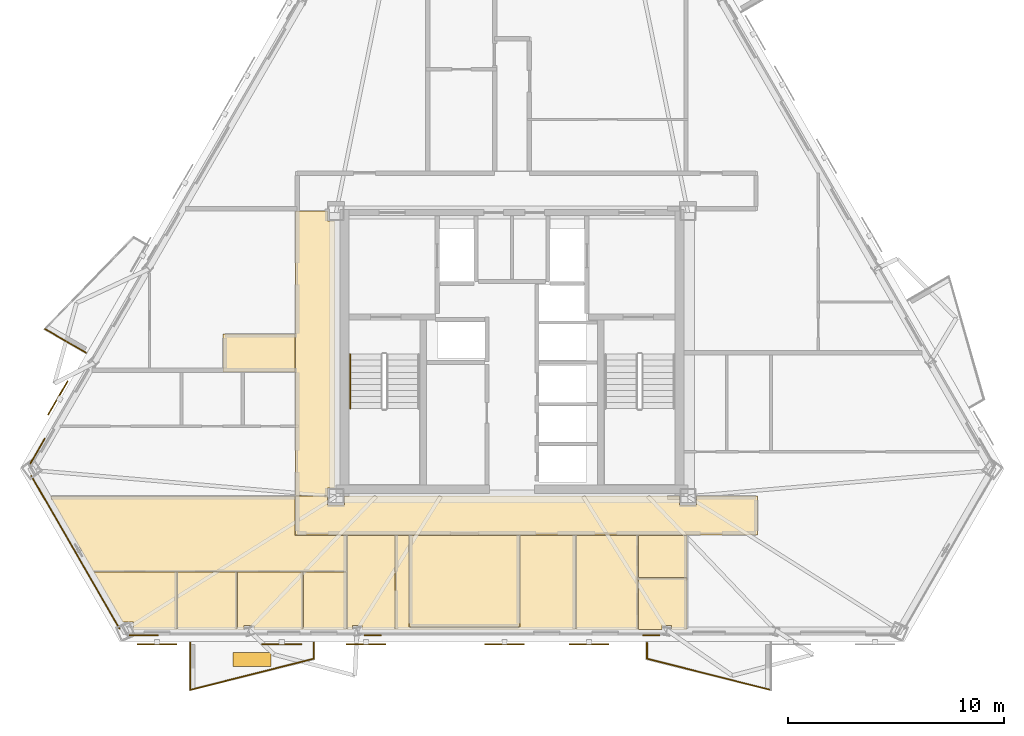
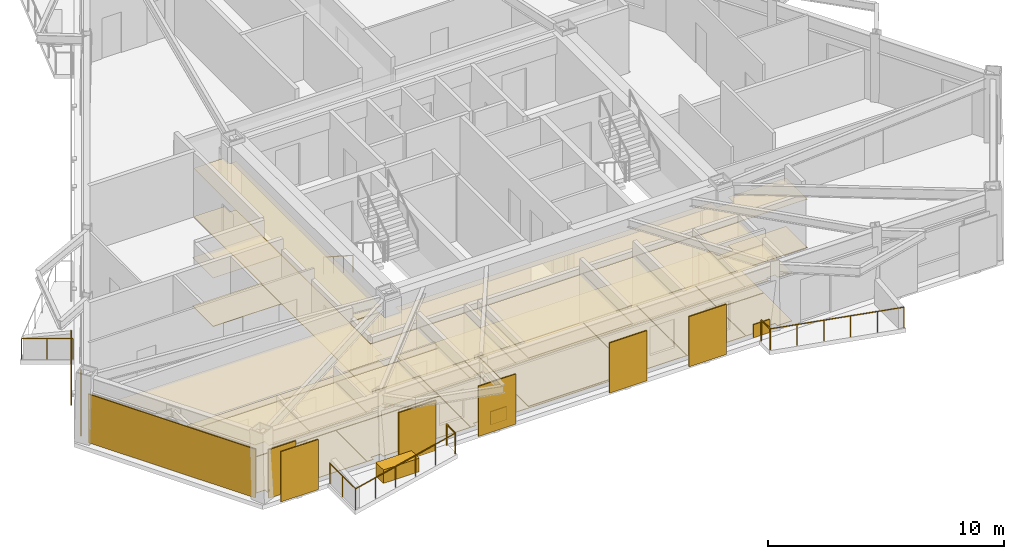
# One storey, part 7 of 9: 34 coverings, 7 railings, 6 shading devices.
"""IFC4 building model written with IfcOpenShell, lengths in metres."""

from ifc_helpers import new_model, si_unit, direction, frame, origin, origin_2d, place, context, subcontext, project, spatial, polyline, rectangle, circle, outline, extrude, material, layer, layer_set, type_object, element, save


model = new_model("IFC4")

# Units and contexts
model_context = context("Model", 3, precision=1e-05, world=origin(), true_north=direction((0.0, 1.0)))
body_context = subcontext(model_context, "Body", "Model", "MODEL_VIEW")
ifc_project = project(units=[si_unit("LENGTHUNIT", "METRE"), si_unit("AREAUNIT", "SQUARE_METRE"), si_unit("VOLUMEUNIT", "CUBIC_METRE"), si_unit("PLANEANGLEUNIT", "RADIAN"), si_unit("MASSUNIT", "GRAM", prefix="KILO")], contexts=[model_context])

# Site, building, storey
site_placement = place(None, origin())
site = spatial("IfcSite", under=ifc_project, at=site_placement, CompositionType="ELEMENT")
building_placement = place(site_placement, origin())
building = spatial("IfcBuilding", under=site, at=building_placement, Name="Oramaril Tower", CompositionType="ELEMENT")
storey_placement = place(building_placement, frame((0.0, 0.0, 167.39990234375)))
storey = spatial("IfcBuildingStorey", under=building, at=storey_placement, Name="L44", CompositionType="ELEMENT", Elevation=167.39990234375)

# Coverings
ifc_material_1 = material(Name="Mineral Fibre Acoustic Ceiling")
ifc_layer_1 = layer(ifc_material_1, 0.02001953125)
ifc_layer_set_1 = layer_set([ifc_layer_1], Name="CVT-CEIL")
covering_type_1 = type_object("IfcCoveringType", Name="CVT-CEIL", PredefinedType="CEILING", material=ifc_layer_set_1)
covering_1_placement = place(storey_placement, frame((0.0, 0.0, 2.51220703125)))
element("IfcCovering", 1, at=covering_1_placement, inside=storey, type_object=covering_type_1, Name="L44 Acoustic Suspended Ceiling 1", PredefinedType="CEILING", context=body_context, shape_type="SweptSolid", body=[
    extrude(outline(polyline([(28.955078125, 10.60498046875), (29.7451171875, 10.60498046875), (29.7451171875, 11.030029296875), (45.2548828125, 11.030029296875), (45.2548828125, 10.60498046875), (46.044921875, 10.60498046875), (46.044921875, 11.030029296875), (48.8798828125, 11.030029296875), (48.8798828125, 9.219970703125), (27.469970703125, 9.219970703125), (27.469970703125, 11.030029296875), (28.955078125, 11.030029296875), (28.955078125, 10.60498046875)])), origin(), (0.0, 0.0, 1.0), 0.019775390625),
])
covering_2_placement = place(storey_placement, frame((0.0, 0.0, 2.51220703125)))
element("IfcCovering", 2, at=covering_2_placement, inside=storey, type_object=covering_type_1, Name="L44 Acoustic Suspended Ceiling 3", PredefinedType="CEILING", context=body_context, shape_type="SweptSolid", body=[
    extrude(outline(polyline([(28.955078125, 23.7548828125), (29.280029296875, 23.7548828125), (29.280029296875, 11.39501953125), (28.955078125, 11.39501953125), (28.955078125, 11.050048828125), (27.469970703125, 11.050048828125), (27.469970703125, 24.219970703125), (28.955078125, 24.219970703125), (28.955078125, 23.7548828125)])), origin(), (0.0, 0.0, 1.0), 0.019775390625),
])
covering_3_placement = place(storey_placement, frame((0.0, 0.0, 2.51220703125)))
element("IfcCovering", 3, at=covering_3_placement, inside=storey, type_object=covering_type_1, Name="L44 Acoustic Suspended Ceiling 5", PredefinedType="CEILING", context=body_context, shape_type="SweptSolid", body=[
    extrude(outline(polyline([(24.1201171875, 16.77001953125), (24.1201171875, 18.530029296875), (27.449951171875, 18.530029296875), (27.449951171875, 16.77001953125), (24.1201171875, 16.77001953125)])), origin(), (0.0, 0.0, 1.0), 0.019775390625),
])
covering_4_placement = place(storey_placement, frame((0.0, 0.0, 2.51220703125)))
element("IfcCovering", 4, at=covering_4_placement, inside=storey, type_object=covering_type_1, Name="L44 Acoustic Suspended Ceiling 6", PredefinedType="CEILING", context=body_context, shape_type="SweptSolid", body=[
    extrude(outline(polyline([(32.758056640625, 4.9580078125), (32.758056640625, 9.199951171875), (37.842041015625, 9.199951171875), (37.842041015625, 4.9580078125), (32.758056640625, 4.9580078125)])), origin(), (0.0, 0.0, 1.0), 0.019775390625),
])
covering_5_placement = place(storey_placement, frame((0.0, 0.0, 2.51220703125)))
element("IfcCovering", 5, at=covering_5_placement, inside=storey, type_object=covering_type_1, Name="L44 Acoustic Suspended Ceiling 7", PredefinedType="CEILING", context=body_context, shape_type="SweptSolid", body=[
    extrude(outline(polyline([(29.842041015625, 7.512451171875), (18.12060546875, 7.512451171875), (16.11181640625, 10.991943359375), (27.449951171875, 10.991943359375), (27.449951171875, 9.219970703125), (27.4501953125, 9.218017578125), (27.450439453125, 9.216064453125), (27.450927734375, 9.214111328125), (27.451416015625, 9.21240234375), (27.452392578125, 9.210693359375), (27.453369140625, 9.208984375), (27.45458984375, 9.207275390625), (27.455810546875, 9.205810546875), (27.457275390625, 9.20458984375), (27.458984375, 9.203369140625), (27.460693359375, 9.202392578125), (27.46240234375, 9.201416015625), (27.464111328125, 9.200927734375), (27.466064453125, 9.200439453125), (27.468017578125, 9.2001953125), (27.469970703125, 9.199951171875), (29.842041015625, 9.199951171875), (29.842041015625, 7.512451171875)])), origin(), (0.0, 0.0, 1.0), 0.019775390625),
])
covering_6_placement = place(storey_placement, frame((0.0, 0.0, 2.51220703125)))
element("IfcCovering", 6, at=covering_6_placement, inside=storey, type_object=covering_type_1, Name="L44 Acoustic Suspended Ceiling 8", PredefinedType="CEILING", context=body_context, shape_type="SweptSolid", body=[
    extrude(outline(polyline([(19.96875, 4.844482421875), (19.96875, 5.1806640625), (19.467041015625, 5.1806640625), (18.13232421875, 7.492431640625), (21.989501953125, 7.492431640625), (21.989501953125, 4.844482421875), (19.96875, 4.844482421875)])), origin(), (0.0, 0.0, 1.0), 0.019775390625),
])
covering_7_placement = place(storey_placement, frame((0.0, 0.0, 2.51220703125)))
element("IfcCovering", 7, at=covering_7_placement, inside=storey, type_object=covering_type_1, Name="L44 Acoustic Suspended Ceiling 9", PredefinedType="CEILING", context=body_context, shape_type="SweptSolid", body=[
    extrude(outline(polyline([(22.009521484375, 4.844482421875), (22.009521484375, 7.492431640625), (24.7646484375, 7.492431640625), (24.7646484375, 4.844482421875), (22.009521484375, 4.844482421875)])), origin(), (0.0, 0.0, 1.0), 0.019775390625),
])
covering_8_placement = place(storey_placement, frame((0.0, 0.0, 2.51220703125)))
element("IfcCovering", 8, at=covering_8_placement, inside=storey, type_object=covering_type_1, Name="L44 Acoustic Suspended Ceiling 10", PredefinedType="CEILING", context=body_context, shape_type="SweptSolid", body=[
    extrude(outline(polyline([(25.546630859375, 4.844482421875), (25.546630859375, 5.030029296875), (25.0859375, 5.030029296875), (25.0859375, 4.844482421875), (24.78466796875, 4.844482421875), (24.78466796875, 7.492431640625), (27.814697265625, 7.492431640625), (27.814697265625, 4.844482421875), (25.546630859375, 4.844482421875)])), origin(), (0.0, 0.0, 1.0), 0.019775390625),
])
covering_9_placement = place(storey_placement, frame((0.0, 0.0, 2.51220703125)))
element("IfcCovering", 9, at=covering_9_placement, inside=storey, type_object=covering_type_1, Name="L44 Acoustic Suspended Ceiling 11", PredefinedType="CEILING", context=body_context, shape_type="SweptSolid", body=[
    extrude(outline(polyline([(27.834716796875, 4.844482421875), (27.834716796875, 7.492431640625), (29.842041015625, 7.492431640625), (29.842041015625, 4.844482421875), (27.834716796875, 4.844482421875)])), origin(), (0.0, 0.0, 1.0), 0.019775390625),
])
covering_10_placement = place(storey_placement, frame((0.0, 0.0, 2.51220703125)))
element("IfcCovering", 10, at=covering_10_placement, inside=storey, type_object=covering_type_1, Name="L44 Acoustic Suspended Ceiling 12", PredefinedType="CEILING", context=body_context, shape_type="SweptSolid", body=[
    extrude(outline(polyline([(40.44189453125, 4.844482421875), (32.090087890625, 4.844482421875), (32.090087890625, 9.199951171875), (32.738037109375, 9.199951171875), (32.738037109375, 4.9580078125), (32.738037109375, 4.9560546875), (32.73828125, 4.9541015625), (32.739013671875, 4.9521484375), (32.739501953125, 4.9501953125), (32.740478515625, 4.948486328125), (32.741455078125, 4.947021484375), (32.742431640625, 4.9453125), (32.743896484375, 4.94384765625), (32.745361328125, 4.9423828125), (32.746826171875, 4.94140625), (32.74853515625, 4.9404296875), (32.750244140625, 4.939453125), (32.752197265625, 4.93896484375), (32.754150390625, 4.9384765625), (32.756103515625, 4.93798828125), (32.758056640625, 4.93798828125), (37.842041015625, 4.93798828125), (37.843994140625, 4.93798828125), (37.845947265625, 4.9384765625), (37.847900390625, 4.93896484375), (37.849609375, 4.939453125), (37.851318359375, 4.9404296875), (37.85302734375, 4.94140625), (37.854736328125, 4.9423828125), (37.856201171875, 4.94384765625), (37.857421875, 4.9453125), (37.858642578125, 4.947021484375), (37.859619140625, 4.948486328125), (37.860595703125, 4.9501953125), (37.861083984375, 4.9521484375), (37.861572265625, 4.9541015625), (37.86181640625, 4.9560546875), (37.862060546875, 4.9580078125), (37.862060546875, 9.199951171875), (40.44189453125, 9.199951171875), (40.44189453125, 4.844482421875)])), origin(), (0.0, 0.0, 1.0), 0.019775390625),
])
covering_11_placement = place(storey_placement, frame((0.0, 0.0, 2.51220703125)))
element("IfcCovering", 11, at=covering_11_placement, inside=storey, type_object=covering_type_1, Name="L44 Acoustic Suspended Ceiling 13", PredefinedType="CEILING", context=body_context, shape_type="SweptSolid", body=[
    extrude(outline(polyline([(30.55908203125, 4.844482421875), (30.55908203125, 5.030029296875), (30.107177734375, 5.030029296875), (30.107177734375, 4.844482421875), (29.862060546875, 4.844482421875), (29.862060546875, 7.492431640625), (29.86181640625, 7.494384765625), (29.861572265625, 7.496337890625), (29.861083984375, 7.498291015625), (29.860595703125, 7.500244140625), (29.859619140625, 7.501953125), (29.859375, 7.50244140625), (29.859619140625, 7.503173828125), (29.860595703125, 7.5048828125), (29.861083984375, 7.506591796875), (29.861572265625, 7.508544921875), (29.86181640625, 7.510498046875), (29.862060546875, 7.512451171875), (29.862060546875, 9.199951171875), (32.070068359375, 9.199951171875), (32.070068359375, 4.844482421875), (30.55908203125, 4.844482421875)])), origin(), (0.0, 0.0, 1.0), 0.019775390625),
])
covering_12_placement = place(storey_placement, frame((0.0, 0.0, 2.51220703125)))
element("IfcCovering", 12, at=covering_12_placement, inside=storey, type_object=covering_type_1, Name="L44 Acoustic Suspended Ceiling 14", PredefinedType="CEILING", context=body_context, shape_type="SweptSolid", body=[
    extrude(outline(polyline([(43.33154296875, 4.844482421875), (40.4619140625, 4.844482421875), (40.4619140625, 9.199951171875), (43.33154296875, 9.199951171875), (43.33154296875, 4.844482421875)])), origin(), (0.0, 0.0, 1.0), 0.019775390625),
])
covering_13_placement = place(storey_placement, frame((0.0, 0.0, 2.51220703125)))
element("IfcCovering", 13, at=covering_13_placement, inside=storey, type_object=covering_type_1, Name="L44 Acoustic Suspended Ceiling 15", PredefinedType="CEILING", context=body_context, shape_type="SweptSolid", body=[
    extrude(outline(polyline([(44.892822265625, 5.030029296875), (44.44091796875, 5.030029296875), (44.44091796875, 4.844482421875), (43.3515625, 4.844482421875), (43.3515625, 7.224853515625), (45.60205078125, 7.224853515625), (45.60205078125, 4.844482421875), (44.892822265625, 4.844482421875), (44.892822265625, 5.030029296875)])), origin(), (0.0, 0.0, 1.0), 0.019775390625),
])
covering_14_placement = place(storey_placement, frame((0.0, 0.0, 2.51220703125)))
element("IfcCovering", 14, at=covering_14_placement, inside=storey, type_object=covering_type_1, Name="L44 Acoustic Suspended Ceiling 16", PredefinedType="CEILING", context=body_context, shape_type="SweptSolid", body=[
    extrude(outline(polyline([(45.60205078125, 7.244873046875), (43.3515625, 7.244873046875), (43.3515625, 9.199951171875), (45.60205078125, 9.199951171875), (45.60205078125, 7.244873046875)])), origin(), (0.0, 0.0, 1.0), 0.019775390625),
])
ifc_material_2 = material(Name="Warm Cream Limestone", Category="masonry")
ifc_layer_2 = layer(ifc_material_2, 0.050048828125)
ifc_layer_set_2 = layer_set([ifc_layer_2], Name="CVT-CLD")
covering_type_2 = type_object("IfcCoveringType", Name="CVT-CLD", PredefinedType="CLADDING", material=ifc_layer_set_2)
covering_15_placement = place(storey_placement, frame((17.27587890625, 8.423583984375, 0.0400390625), z_axis=(0.0, 0.0, 1.0), x_axis=(0.499996976998, -0.866027149108, 0.0)))
element("IfcCovering", 15, at=covering_15_placement, inside=storey, type_object=covering_type_2, Name="L44 Warm Cream Limestone Cladding", PredefinedType="CLADDING", context=body_context, shape_type="SweptSolid", body=[
    extrude(rectangle(XDim=8.208984375, YDim=0.050048828125, at=origin_2d()), origin(), (0.0, 0.0, 1.0), 2.52001953125),
])
covering_16_placement = place(storey_placement, frame((20.44873046875, 4.568603515625, 0.0400390625), z_axis=(0.0, 0.0, 1.0), x_axis=(1.0, 0.0, 0.0)))
element("IfcCovering", 16, at=covering_16_placement, inside=storey, type_object=covering_type_2, Name="L44 Warm Cream Limestone Cladding", PredefinedType="CLADDING", context=body_context, shape_type="SweptSolid", body=[
    extrude(rectangle(XDim=1.35009765625, YDim=0.050048828125, at=origin_2d()), origin(), (0.0, 0.0, 1.0), 2.52001953125),
])
for number, where, z_axis, x_axis, name in (
    (17, (31.055419921875, 4.568603515625, 0.0400390625), (0.0, 0.0, 1.0), (1.0, 0.0, 0.0), "L44 Warm Cream Limestone Spandrel Cladding"),
    (18, (43.944580078125, 4.568603515625, 0.0400390625), (0.0, 0.0, 1.0), (1.0, 0.0, 0.0), "L44 Warm Cream Limestone Spandrel Cladding"),
):
    element("IfcCovering", number, at=place(storey_placement, frame(where, z_axis=z_axis, x_axis=x_axis)), inside=storey, type_object=covering_type_2, Name=name, PredefinedType="CLADDING", context=body_context, shape_type="SweptSolid", body=[
        extrude(rectangle(XDim=0.800048828125, YDim=0.050048828125, at=origin_2d()), origin(), (0.0, 0.0, 1.0), 0.679931640625),
    ])
covering_17_placement = place(storey_placement, frame((15.523681640625, 13.098876953125, 0.0400390625), z_axis=(0.0, 0.0, 1.0), x_axis=(-0.5, -0.866025403784, 0.0)))
element("IfcCovering", 19, at=covering_17_placement, inside=storey, type_object=covering_type_2, Name="L44 Warm Cream Limestone Cladding", PredefinedType="CLADDING", context=body_context, shape_type="SweptSolid", body=[
    extrude(rectangle(XDim=1.35009765625, YDim=0.050048828125, at=origin_2d()), origin(), (0.0, 0.0, 1.0), 2.52001953125),
])
covering_18_placement = place(storey_placement, frame((25.4580078125, 3.440185546875, 0.0), z_axis=(0.0, 0.0, 1.0), x_axis=(1.0, 0.0, 0.0)))
element("IfcCovering", 20, at=covering_18_placement, inside=storey, type_object=covering_type_2, Name="L44 Structural Tree Planter Box L44-BAL-S1", PredefinedType="CLADDING", context=body_context, shape_type="SweptSolid", body=[
    extrude(rectangle(XDim=1.75, YDim=0.64990234375, at=origin_2d()), origin(), (0.0, 0.0, 1.0), 0.699951171875),
])
ifc_material_3 = material(Name="Honed Quartzite Stone Flooring", Category="masonry")
ifc_layer_3 = layer(ifc_material_3, 0.02490234375)
ifc_layer_set_3 = layer_set([ifc_layer_3], Name="CVT-FLR")
covering_type_3 = type_object("IfcCoveringType", Name="CVT-FLR", PredefinedType="FLOORING", material=ifc_layer_set_3)
covering_19_placement = place(storey_placement, origin())
element("IfcCovering", 21, at=covering_19_placement, inside=storey, type_object=covering_type_3, Name="L44 Honed Stone Floor Finish 1", PredefinedType="FLOORING", context=body_context, shape_type="SweptSolid", body=[
    extrude(outline(polyline([(28.955078125, 10.60498046875), (29.7451171875, 10.60498046875), (29.7451171875, 11.030029296875), (45.2548828125, 11.030029296875), (45.2548828125, 10.60498046875), (46.044921875, 10.60498046875), (46.044921875, 11.030029296875), (48.8798828125, 11.030029296875), (48.8798828125, 9.219970703125), (27.469970703125, 9.219970703125), (27.469970703125, 11.030029296875), (28.955078125, 11.030029296875), (28.955078125, 10.60498046875)])), origin(), (0.0, 0.0, 1.0), 0.025146484375),
])
covering_20_placement = place(storey_placement, origin())
element("IfcCovering", 22, at=covering_20_placement, inside=storey, type_object=covering_type_3, Name="L44 Honed Stone Floor Finish 3", PredefinedType="FLOORING", context=body_context, shape_type="SweptSolid", body=[
    extrude(outline(polyline([(28.955078125, 23.7548828125), (29.280029296875, 23.7548828125), (29.280029296875, 11.39501953125), (28.955078125, 11.39501953125), (28.955078125, 11.050048828125), (27.469970703125, 11.050048828125), (27.469970703125, 24.219970703125), (28.955078125, 24.219970703125), (28.955078125, 23.7548828125)])), origin(), (0.0, 0.0, 1.0), 0.025146484375),
])
covering_21_placement = place(storey_placement, origin())
element("IfcCovering", 23, at=covering_21_placement, inside=storey, type_object=covering_type_3, Name="L44 Honed Stone Floor Finish 5", PredefinedType="FLOORING", context=body_context, shape_type="SweptSolid", body=[
    extrude(outline(polyline([(24.1201171875, 16.77001953125), (24.1201171875, 18.530029296875), (27.449951171875, 18.530029296875), (27.449951171875, 16.77001953125), (24.1201171875, 16.77001953125)])), origin(), (0.0, 0.0, 1.0), 0.025146484375),
])
covering_22_placement = place(storey_placement, origin())
element("IfcCovering", 24, at=covering_22_placement, inside=storey, type_object=covering_type_3, Name="L44 Honed Stone Floor Finish 6", PredefinedType="FLOORING", context=body_context, shape_type="SweptSolid", body=[
    extrude(outline(polyline([(32.758056640625, 4.9580078125), (32.758056640625, 9.199951171875), (37.842041015625, 9.199951171875), (37.842041015625, 4.9580078125), (32.758056640625, 4.9580078125)])), origin(), (0.0, 0.0, 1.0), 0.025146484375),
])
covering_23_placement = place(storey_placement, origin())
element("IfcCovering", 25, at=covering_23_placement, inside=storey, type_object=covering_type_3, Name="L44 Honed Stone Floor Finish 7", PredefinedType="FLOORING", context=body_context, shape_type="SweptSolid", body=[
    extrude(outline(polyline([(29.842041015625, 7.512451171875), (18.12060546875, 7.512451171875), (16.11181640625, 10.991943359375), (27.449951171875, 10.991943359375), (27.449951171875, 9.219970703125), (27.4501953125, 9.218017578125), (27.450439453125, 9.216064453125), (27.450927734375, 9.214111328125), (27.451416015625, 9.21240234375), (27.452392578125, 9.210693359375), (27.453369140625, 9.208984375), (27.45458984375, 9.207275390625), (27.455810546875, 9.205810546875), (27.457275390625, 9.20458984375), (27.458984375, 9.203369140625), (27.460693359375, 9.202392578125), (27.46240234375, 9.201416015625), (27.464111328125, 9.200927734375), (27.466064453125, 9.200439453125), (27.468017578125, 9.2001953125), (27.469970703125, 9.199951171875), (29.842041015625, 9.199951171875), (29.842041015625, 7.512451171875)])), origin(), (0.0, 0.0, 1.0), 0.025146484375),
])
covering_24_placement = place(storey_placement, origin())
element("IfcCovering", 26, at=covering_24_placement, inside=storey, type_object=covering_type_3, Name="L44 Honed Stone Floor Finish 8", PredefinedType="FLOORING", context=body_context, shape_type="SweptSolid", body=[
    extrude(outline(polyline([(19.96875, 4.844482421875), (19.96875, 5.1806640625), (19.467041015625, 5.1806640625), (18.13232421875, 7.492431640625), (21.989501953125, 7.492431640625), (21.989501953125, 4.844482421875), (19.96875, 4.844482421875)])), origin(), (0.0, 0.0, 1.0), 0.025146484375),
])
covering_25_placement = place(storey_placement, origin())
element("IfcCovering", 27, at=covering_25_placement, inside=storey, type_object=covering_type_3, Name="L44 Honed Stone Floor Finish 9", PredefinedType="FLOORING", context=body_context, shape_type="SweptSolid", body=[
    extrude(outline(polyline([(22.009521484375, 4.844482421875), (22.009521484375, 7.492431640625), (24.7646484375, 7.492431640625), (24.7646484375, 4.844482421875), (22.009521484375, 4.844482421875)])), origin(), (0.0, 0.0, 1.0), 0.025146484375),
])
covering_26_placement = place(storey_placement, origin())
element("IfcCovering", 28, at=covering_26_placement, inside=storey, type_object=covering_type_3, Name="L44 Honed Stone Floor Finish 10", PredefinedType="FLOORING", context=body_context, shape_type="SweptSolid", body=[
    extrude(outline(polyline([(25.546630859375, 4.844482421875), (25.546630859375, 5.030029296875), (25.0859375, 5.030029296875), (25.0859375, 4.844482421875), (24.78466796875, 4.844482421875), (24.78466796875, 7.492431640625), (27.814697265625, 7.492431640625), (27.814697265625, 4.844482421875), (25.546630859375, 4.844482421875)])), origin(), (0.0, 0.0, 1.0), 0.025146484375),
])
covering_27_placement = place(storey_placement, origin())
element("IfcCovering", 29, at=covering_27_placement, inside=storey, type_object=covering_type_3, Name="L44 Honed Stone Floor Finish 11", PredefinedType="FLOORING", context=body_context, shape_type="SweptSolid", body=[
    extrude(outline(polyline([(27.834716796875, 4.844482421875), (27.834716796875, 7.492431640625), (29.842041015625, 7.492431640625), (29.842041015625, 4.844482421875), (27.834716796875, 4.844482421875)])), origin(), (0.0, 0.0, 1.0), 0.025146484375),
])
covering_28_placement = place(storey_placement, origin())
element("IfcCovering", 30, at=covering_28_placement, inside=storey, type_object=covering_type_3, Name="L44 Honed Stone Floor Finish 12", PredefinedType="FLOORING", context=body_context, shape_type="SweptSolid", body=[
    extrude(outline(polyline([(40.44189453125, 4.844482421875), (32.090087890625, 4.844482421875), (32.090087890625, 9.199951171875), (32.738037109375, 9.199951171875), (32.738037109375, 4.9580078125), (32.738037109375, 4.9560546875), (32.73828125, 4.9541015625), (32.739013671875, 4.9521484375), (32.739501953125, 4.9501953125), (32.740478515625, 4.948486328125), (32.741455078125, 4.947021484375), (32.742431640625, 4.9453125), (32.743896484375, 4.94384765625), (32.745361328125, 4.9423828125), (32.746826171875, 4.94140625), (32.74853515625, 4.9404296875), (32.750244140625, 4.939453125), (32.752197265625, 4.93896484375), (32.754150390625, 4.9384765625), (32.756103515625, 4.93798828125), (32.758056640625, 4.93798828125), (37.842041015625, 4.93798828125), (37.843994140625, 4.93798828125), (37.845947265625, 4.9384765625), (37.847900390625, 4.93896484375), (37.849609375, 4.939453125), (37.851318359375, 4.9404296875), (37.85302734375, 4.94140625), (37.854736328125, 4.9423828125), (37.856201171875, 4.94384765625), (37.857421875, 4.9453125), (37.858642578125, 4.947021484375), (37.859619140625, 4.948486328125), (37.860595703125, 4.9501953125), (37.861083984375, 4.9521484375), (37.861572265625, 4.9541015625), (37.86181640625, 4.9560546875), (37.862060546875, 4.9580078125), (37.862060546875, 9.199951171875), (40.44189453125, 9.199951171875), (40.44189453125, 4.844482421875)])), origin(), (0.0, 0.0, 1.0), 0.025146484375),
])
covering_29_placement = place(storey_placement, origin())
element("IfcCovering", 31, at=covering_29_placement, inside=storey, type_object=covering_type_3, Name="L44 Honed Stone Floor Finish 13", PredefinedType="FLOORING", context=body_context, shape_type="SweptSolid", body=[
    extrude(outline(polyline([(30.55908203125, 4.844482421875), (30.55908203125, 5.030029296875), (30.107177734375, 5.030029296875), (30.107177734375, 4.844482421875), (29.862060546875, 4.844482421875), (29.862060546875, 7.492431640625), (29.86181640625, 7.494384765625), (29.861572265625, 7.496337890625), (29.861083984375, 7.498291015625), (29.860595703125, 7.500244140625), (29.859619140625, 7.501953125), (29.859375, 7.50244140625), (29.859619140625, 7.503173828125), (29.860595703125, 7.5048828125), (29.861083984375, 7.506591796875), (29.861572265625, 7.508544921875), (29.86181640625, 7.510498046875), (29.862060546875, 7.512451171875), (29.862060546875, 9.199951171875), (32.070068359375, 9.199951171875), (32.070068359375, 4.844482421875), (30.55908203125, 4.844482421875)])), origin(), (0.0, 0.0, 1.0), 0.025146484375),
])
covering_30_placement = place(storey_placement, origin())
element("IfcCovering", 32, at=covering_30_placement, inside=storey, type_object=covering_type_3, Name="L44 Honed Stone Floor Finish 14", PredefinedType="FLOORING", context=body_context, shape_type="SweptSolid", body=[
    extrude(outline(polyline([(43.33154296875, 4.844482421875), (40.4619140625, 4.844482421875), (40.4619140625, 9.199951171875), (43.33154296875, 9.199951171875), (43.33154296875, 4.844482421875)])), origin(), (0.0, 0.0, 1.0), 0.025146484375),
])
covering_31_placement = place(storey_placement, origin())
element("IfcCovering", 33, at=covering_31_placement, inside=storey, type_object=covering_type_3, Name="L44 Honed Stone Floor Finish 15", PredefinedType="FLOORING", context=body_context, shape_type="SweptSolid", body=[
    extrude(outline(polyline([(44.892822265625, 5.030029296875), (44.44091796875, 5.030029296875), (44.44091796875, 4.844482421875), (43.3515625, 4.844482421875), (43.3515625, 7.224853515625), (45.60205078125, 7.224853515625), (45.60205078125, 4.844482421875), (44.892822265625, 4.844482421875), (44.892822265625, 5.030029296875)])), origin(), (0.0, 0.0, 1.0), 0.025146484375),
])
covering_32_placement = place(storey_placement, origin())
element("IfcCovering", 34, at=covering_32_placement, inside=storey, type_object=covering_type_3, Name="L44 Honed Stone Floor Finish 16", PredefinedType="FLOORING", context=body_context, shape_type="SweptSolid", body=[
    extrude(outline(polyline([(45.60205078125, 7.244873046875), (43.3515625, 7.244873046875), (43.3515625, 9.199951171875), (45.60205078125, 9.199951171875), (45.60205078125, 7.244873046875)])), origin(), (0.0, 0.0, 1.0), 0.025146484375),
])

# Railings
ifc_material_4 = material(Name="Stainless Steel 316L", Category="steel")
railing_type_1 = type_object("IfcRailingType", Name="RLT-GRD", PredefinedType="GUARDRAIL", material=ifc_material_4)
railing_1_placement = place(storey_placement, frame((28.322998046875, 4.228515625, 0.0)))
element("IfcRailing", 35, at=railing_1_placement, inside=storey, type_object=railing_type_1, Name="L44 Balcony Guardrail L44-BAL-S1.1", PredefinedType="GUARDRAIL", context=body_context, shape_type="SweptSolid", body=[
    extrude(circle(Radius=0.02392578125, at=origin_2d()), frame((0.0, 0.0, 1.076171875), z_axis=(0.0, -1.0, 0.0), x_axis=(1.0, 0.0, 0.0)), (0.0, 0.0, 1.0), 0.741943359375),
    extrude(circle(Radius=0.02099609375, at=origin_2d()), origin(), (0.0, 0.0, 1.0), 1.052001953125),
    extrude(circle(Radius=0.02099609375, at=origin_2d()), frame((0.0, -0.741943359375, 0.0)), (0.0, 0.0, 1.0), 1.052001953125),
])
railing_2_placement = place(storey_placement, frame((28.322998046875, 3.486572265625, 0.0)))
element("IfcRailing", 36, at=railing_2_placement, inside=storey, type_object=railing_type_1, Name="L44 Balcony Guardrail L44-BAL-S1.2", PredefinedType="GUARDRAIL", context=body_context, shape_type="SweptSolid", body=[
    extrude(circle(Radius=0.02392578125, at=origin_2d()), frame((0.0, 0.0, 1.076171875), z_axis=(-0.969443611257, -0.245314256807, 0.0), x_axis=(0.245314256807, -0.969443611257, 0.0)), (0.0, 0.0, 1.0), 5.91064453125),
    extrude(circle(Radius=0.02099609375, at=origin_2d()), origin(), (0.0, 0.0, 1.0), 1.052001953125),
    extrude(circle(Radius=0.02099609375, at=origin_2d()), frame((-1.14599609375, -0.2900390625, 0.0)), (0.0, 0.0, 1.0), 1.052001953125),
    extrude(circle(Radius=0.02099609375, at=origin_2d()), frame((-2.2919921875, -0.580078125, 0.0)), (0.0, 0.0, 1.0), 1.052001953125),
    extrude(circle(Radius=0.02099609375, at=origin_2d()), frame((-3.43798828125, -0.869873046875, 0.0)), (0.0, 0.0, 1.0), 1.052001953125),
    extrude(circle(Radius=0.02099609375, at=origin_2d()), frame((-4.583984375, -1.159912109375, 0.0)), (0.0, 0.0, 1.0), 1.052001953125),
    extrude(circle(Radius=0.02099609375, at=origin_2d()), frame((-5.72998046875, -1.449951171875, 0.0)), (0.0, 0.0, 1.0), 1.052001953125),
])
railing_3_placement = place(storey_placement, frame((22.593017578125, 2.03662109375, 0.0)))
element("IfcRailing", 37, at=railing_3_placement, inside=storey, type_object=railing_type_1, Name="L44 Balcony Guardrail L44-BAL-S1.3", PredefinedType="GUARDRAIL", context=body_context, shape_type="SweptSolid", body=[
    extrude(circle(Radius=0.02392578125, at=origin_2d()), frame((0.0, 0.0, 1.076171875), z_axis=(0.0, 1.0, 0.0), x_axis=(-1.0, 0.0, 0.0)), (0.0, 0.0, 1.0), 2.19189453125),
    extrude(circle(Radius=0.02099609375, at=origin_2d()), origin(), (0.0, 0.0, 1.0), 1.052001953125),
    extrude(circle(Radius=0.02099609375, at=origin_2d()), frame((0.0, 1.095947265625, 0.0)), (0.0, 0.0, 1.0), 1.052001953125),
    extrude(circle(Radius=0.02099609375, at=origin_2d()), frame((0.0, 2.19189453125, 0.0)), (0.0, 0.0, 1.0), 1.052001953125),
])
railing_4_placement = place(storey_placement, frame((49.48193359375, 2.03662109375, 0.0)))
element("IfcRailing", 38, at=railing_4_placement, inside=storey, type_object=railing_type_1, Name="L44 Balcony Guardrail L44-BAL-S2.2", PredefinedType="GUARDRAIL", context=body_context, shape_type="SweptSolid", body=[
    extrude(circle(Radius=0.02392578125, at=origin_2d()), frame((0.0, 0.0, 1.076171875), z_axis=(-0.969443611257, 0.245314256807, 0.0), x_axis=(-0.245314256807, -0.969443611257, 0.0)), (0.0, 0.0, 1.0), 5.91064453125),
    extrude(circle(Radius=0.02099609375, at=origin_2d()), origin(), (0.0, 0.0, 1.0), 1.052001953125),
    extrude(circle(Radius=0.02099609375, at=origin_2d()), frame((-1.14599609375, 0.2900390625, 0.0)), (0.0, 0.0, 1.0), 1.052001953125),
    extrude(circle(Radius=0.02099609375, at=origin_2d()), frame((-2.2919921875, 0.580078125, 0.0)), (0.0, 0.0, 1.0), 1.052001953125),
    extrude(circle(Radius=0.02099609375, at=origin_2d()), frame((-3.43798828125, 0.869873046875, 0.0)), (0.0, 0.0, 1.0), 1.052001953125),
    extrude(circle(Radius=0.02099609375, at=origin_2d()), frame((-4.583984375, 1.159912109375, 0.0)), (0.0, 0.0, 1.0), 1.052001953125),
    extrude(circle(Radius=0.02099609375, at=origin_2d()), frame((-5.72998046875, 1.449951171875, 0.0)), (0.0, 0.0, 1.0), 1.052001953125),
])
railing_5_placement = place(storey_placement, frame((43.751953125, 3.486572265625, 0.0)))
element("IfcRailing", 39, at=railing_5_placement, inside=storey, type_object=railing_type_1, Name="L44 Balcony Guardrail L44-BAL-S2.3", PredefinedType="GUARDRAIL", context=body_context, shape_type="SweptSolid", body=[
    extrude(circle(Radius=0.02392578125, at=origin_2d()), frame((0.0, 0.0, 1.076171875), z_axis=(0.0, 1.0, 0.0), x_axis=(-1.0, 0.0, 0.0)), (0.0, 0.0, 1.0), 0.741943359375),
    extrude(circle(Radius=0.02099609375, at=origin_2d()), origin(), (0.0, 0.0, 1.0), 1.052001953125),
    extrude(circle(Radius=0.02099609375, at=origin_2d()), frame((0.0, 0.741943359375, 0.0)), (0.0, 0.0, 1.0), 1.052001953125),
])
railing_6_placement = place(storey_placement, frame((17.763916015625, 17.6591796875, 0.0)))
element("IfcRailing", 40, at=railing_6_placement, inside=storey, type_object=railing_type_1, Name="L44 Balcony Guardrail L44-BAL-NW2.1", PredefinedType="GUARDRAIL", context=body_context, shape_type="SweptSolid", body=[
    extrude(circle(Radius=0.02392578125, at=origin_2d()), frame((0.0, 0.0, 1.076171875), z_axis=(-0.866020500697, 0.5000084923, 0.0), x_axis=(-0.5000084923, -0.866020500697, 0.0)), (0.0, 0.0, 1.0), 2.19189453125),
    extrude(circle(Radius=0.02099609375, at=origin_2d()), origin(), (0.0, 0.0, 1.0), 1.052001953125),
    extrude(circle(Radius=0.02099609375, at=origin_2d()), frame((-0.94921875, 0.5478515625, 0.0)), (0.0, 0.0, 1.0), 1.052001953125),
    extrude(circle(Radius=0.02099609375, at=origin_2d()), frame((-1.898193359375, 1.095947265625, 0.0)), (0.0, 0.0, 1.0), 1.052001953125),
])
ifc_material_5 = material(Name="Stainless Steel 316L", Category="steel")
railing_type_2 = type_object("IfcRailingType", Name="RLT-HND", PredefinedType="HANDRAIL", material=ifc_material_5)
railing_7_placement = place(storey_placement, frame((30.0, 17.590087890625, 0.18017578125)))
element("IfcRailing", 41, at=railing_7_placement, inside=storey, type_object=railing_type_2, Name="L44 ST-1 stair handrail 1", PredefinedType="HANDRAIL", context=body_context, shape_type="SweptSolid", body=[
    extrude(circle(Radius=0.02392578125, at=origin_2d()), frame((0.0, 0.0, 0.8759765625), z_axis=(0.0, -0.841199657755, 0.540724639528), x_axis=(1.0, 0.0, 0.0)), (0.0, 0.0, 1.0), 2.995849609375),
    extrude(circle(Radius=0.02099609375, at=origin_2d()), origin(), (0.0, 0.0, 1.0), 0.851806640625),
    extrude(circle(Radius=0.02099609375, at=origin_2d()), frame((0.0, -0.840087890625, 0.5400390625)), (0.0, 0.0, 1.0), 0.851806640625),
    extrude(circle(Radius=0.02099609375, at=origin_2d()), frame((0.0, -1.679931640625, 1.079833984375)), (0.0, 0.0, 1.0), 0.851806640625),
    extrude(circle(Radius=0.02099609375, at=origin_2d()), frame((0.0, -2.52001953125, 1.619873046875)), (0.0, 0.0, 1.0), 0.851806640625),
])

# Shading devices
for number, where, z_axis, x_axis, name in (
    (42, (21.058837890625, 4.156494140625, -0.02001953125), (0.0, 0.0, 1.0), (1.0, 0.0, 0.0), "L44 Perforated Ceramic Solar Screen"),
    (43, (26.836181640625, 4.156494140625, -0.02001953125), (0.0, 0.0, 1.0), (1.0, 0.0, 0.0), "L44 Perforated Ceramic Solar Screen"),
    (44, (30.736328125, 4.156494140625, -0.02001953125), (0.0, 0.0, 1.0), (1.0, 0.0, 0.0), "L44 Perforated Ceramic Solar Screen"),
    (45, (37.1591796875, 4.156494140625, -0.02001953125), (0.0, 0.0, 1.0), (1.0, 0.0, 0.0), "L44 Perforated Ceramic Solar Screen"),
    (46, (41.05908203125, 4.156494140625, -0.02001953125), (0.0, 0.0, 1.0), (1.0, 0.0, 0.0), "L44 Perforated Ceramic Solar Screen"),
    (47, (16.46923828125, 15.560546875, -0.02001953125), (0.0, 0.0, 1.0), (-0.5, -0.866025403784, 0.0), "L44 Perforated Ceramic Solar Screen"),
):
    element("IfcShadingDevice", number, at=place(storey_placement, frame(where, z_axis=z_axis, x_axis=x_axis)), inside=storey, Name=name, ObjectType="SCREEN", PredefinedType="USERDEFINED", context=body_context, shape_type="SweptSolid", body=[
        extrude(rectangle(XDim=1.8330078125, YDim=0.050048828125, at=origin_2d()), origin(), (0.0, 0.0, 1.0), 2.60009765625),
    ])

save(model, "model.ifc")
